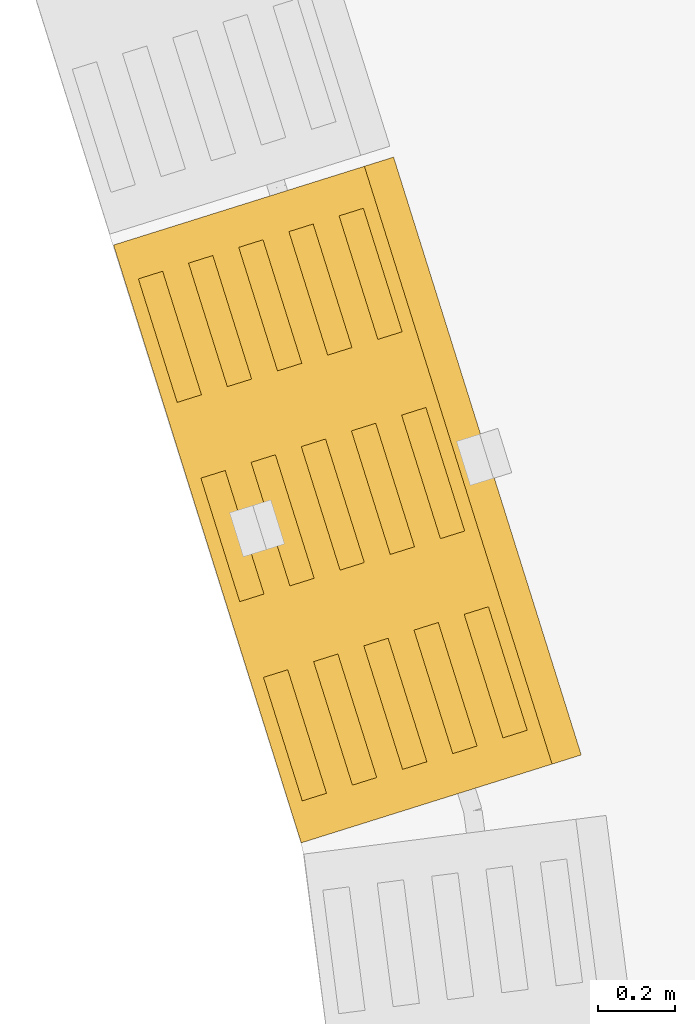
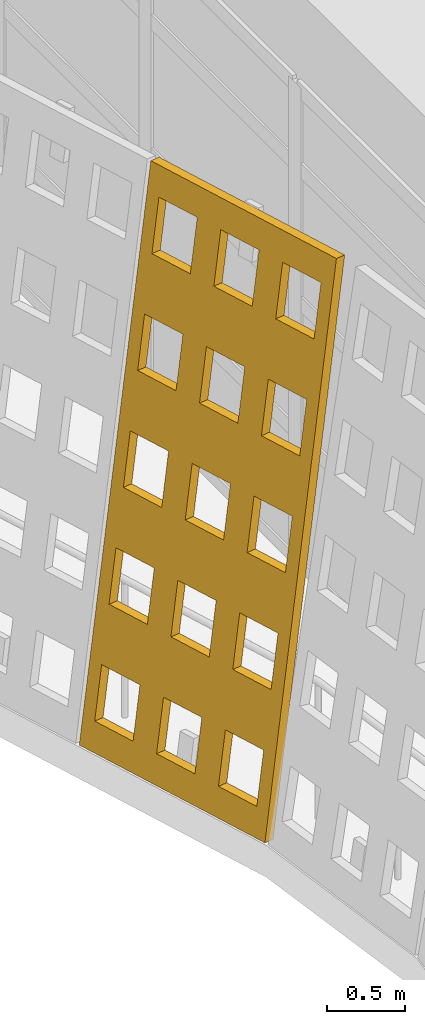
# One storey, part 117 of 162: 1 covering.
"""IFC4 building model written with IfcOpenShell, lengths in metres."""

import ifcopenshell
import ifcopenshell.guid

model = None  # the IFC model being written
_history = None  # IfcOwnerHistory: only IFC2X3 demands one
_inside = {}  # id of a spatial element -> (the spatial element, [elements in it])
_under = {}  # id of a project, library or spatial element -> (it, [spatial elements below it])
_declared = {}  # id of a project -> (the project, [libraries it declares])
_typed = {}  # id of a type object -> (the type object, [elements of that type])
_made_of = {}  # id of a material, layer set ... -> (it, [elements and type objects made of it])


def new_model(schema):
    """Start an empty IFC model of exactly this schema.

    Asked for "IFC4X3", IfcOpenShell would pick the latest addendum, in which some entities
    have other attributes; the version numbers below select the first issue.
    IFC2X3 requires an IfcOwnerHistory on every rooted entity: one is made here for all.
    """
    global model, _history
    if schema == "IFC4X3":
        model = ifcopenshell.file(schema_version=(4, 3, 0, 0))
    else:
        model = ifcopenshell.file(schema=schema)
    _inside.clear()
    _under.clear()
    _declared.clear()
    _typed.clear()
    _made_of.clear()
    _history = None
    if model.schema == "IFC2X3":
        org = make("IfcOrganization", Name="unknown")
        user = make(
            "IfcPersonAndOrganization",
            ThePerson=make("IfcPerson", FamilyName="unknown"),
            TheOrganization=org,
        )
        app = make(
            "IfcApplication",
            ApplicationDeveloper=org,
            Version="unknown",
            ApplicationFullName="unknown",
            ApplicationIdentifier="unknown",
        )
        _history = make(
            "IfcOwnerHistory",
            OwningUser=user,
            OwningApplication=app,
            ChangeAction="ADDED",
            CreationDate=0,
        )
    return model


def make(cls, **values):
    """One entity of the class cls with the attributes given. An attribute that is None is left unset."""
    return model.create_entity(
        cls, **{name: value for name, value in values.items() if value is not None}
    )


def rooted(cls, **values):
    """An entity with a GlobalId (a new one), such as an element, a storey or a relation."""
    return make(cls, GlobalId=ifcopenshell.guid.new(), OwnerHistory=_history, **values)


def si_unit(unit_type, name, prefix=None):
    """IfcSIUnit, for example si_unit("LENGTHUNIT", "METRE", prefix="MILLI")."""
    return make("IfcSIUnit", UnitType=unit_type, Prefix=prefix, Name=name)


def assignment(units):
    """IfcUnitAssignment: the units of a project."""
    return None if units is None else make("IfcUnitAssignment", Units=units)


def point(xyz):
    """IfcCartesianPoint."""
    return None if xyz is None else make("IfcCartesianPoint", Coordinates=xyz)


def direction(xyz):
    """IfcDirection."""
    return None if xyz is None else make("IfcDirection", DirectionRatios=xyz)


def frame(location, z_axis=None, x_axis=None):
    """IfcAxis2Placement3D, a coordinate frame: its origin and axes. An axis left out is left unset."""
    return make(
        "IfcAxis2Placement3D",
        Location=point(location),
        Axis=direction(z_axis),
        RefDirection=direction(x_axis),
    )


def origin():
    """The frame at (0, 0, 0) with its axes left unset."""
    return frame((0.0, 0.0, 0.0))


def place(relative_to, where):
    """IfcLocalPlacement: puts the frame where relative to a parent placement (None: the world)."""
    return make(
        "IfcLocalPlacement", PlacementRelTo=relative_to, RelativePlacement=where
    )


def context(
    kind, dimensions, precision=None, world=None, true_north=None, identifier=None
):
    """IfcGeometricRepresentationContext, for example the 3D "Model" context."""
    return make(
        "IfcGeometricRepresentationContext",
        ContextIdentifier=identifier,
        ContextType=kind,
        CoordinateSpaceDimension=dimensions,
        Precision=precision,
        WorldCoordinateSystem=world,
        TrueNorth=true_north,
    )


def subcontext(parent, identifier, kind, view, scale=None):
    """IfcGeometricRepresentationSubContext, for example "Body" below "Model"."""
    return make(
        "IfcGeometricRepresentationSubContext",
        ContextIdentifier=identifier,
        ContextType=kind,
        ParentContext=parent,
        TargetScale=scale,
        TargetView=view,
    )


def project(units=None, contexts=None):
    """IfcProject with its units and contexts."""
    return rooted(
        "IfcProject",
        Name="project",
        RepresentationContexts=contexts,
        UnitsInContext=assignment(units),
    )


def spatial(cls, under=None, at=None, **own):
    """A site, building, storey or space (cls), placed at a placement, below another one or the project."""
    s = rooted(cls, ObjectPlacement=at, **own)
    if under is not None:
        _under.setdefault(under.id(), (under, []))[1].append(s)
    return s


def polyline(points):
    """IfcPolyline through the points."""
    return make("IfcPolyline", Points=[point(p) for p in points])


def outline(outer, holes=None, kind="AREA"):
    """IfcArbitraryClosedProfileDef: a profile drawn as a closed curve; with holes, ...WithVoids."""
    if holes is None:
        return make("IfcArbitraryClosedProfileDef", ProfileType=kind, OuterCurve=outer)
    return make(
        "IfcArbitraryProfileDefWithVoids",
        ProfileType=kind,
        OuterCurve=outer,
        InnerCurves=holes,
    )


def extrude(swept, where, along, depth):
    """IfcExtrudedAreaSolid: the profile swept, set in the frame where, extruded along a direction by depth."""
    return make(
        "IfcExtrudedAreaSolid",
        SweptArea=swept,
        Position=where,
        ExtrudedDirection=direction(along),
        Depth=depth,
    )


def shape(context_of_items, identifier, shape_type, items):
    """IfcShapeRepresentation: the items that make up one representation, for example the "Body"."""
    return make(
        "IfcShapeRepresentation",
        ContextOfItems=context_of_items,
        RepresentationIdentifier=identifier,
        RepresentationType=shape_type,
        Items=items,
    )


def material(Name=None, Category=None):
    """IfcMaterial."""
    return make("IfcMaterial", Name=Name, Category=Category)


def layer(
    of_material, thickness, ventilated=None, Name=None, Category=None, Priority=None
):
    """IfcMaterialLayer: one layer of a wall or slab, of a material (None: an air gap)."""
    return make(
        "IfcMaterialLayer",
        Material=of_material,
        LayerThickness=thickness,
        IsVentilated=ventilated,
        Name=Name,
        Category=Category,
        Priority=Priority,
    )


def layer_set(layers, Name=None):
    """IfcMaterialLayerSet."""
    return make("IfcMaterialLayerSet", MaterialLayers=layers, LayerSetName=Name)


def made_of(thing, what):
    """Note that an element or type object is made of a material, layer set ...; save() writes the relation."""
    if what is not None:
        _made_of.setdefault(what.id(), (what, []))[1].append(thing)
    return thing


def type_object(cls, material=None, **own):
    """A type object (cls), such as IfcWallType, which elements share."""
    return made_of(rooted(cls, **own), material)


def element(
    cls,
    number,
    at=None,
    inside=None,
    cuts=None,
    type_object=None,
    material=None,
    context=None,
    identifier="Body",
    shape_type=None,
    held_by="IfcProductDefinitionShape",
    body=None,
    shapes=None,
    **own,
):
    """One element of the class cls, such as IfcWall. Its Tag is "e" and its number.

    at: its placement. inside: the storey or other place that contains it. cuts: it is an
    opening in that element (IfcRelVoidsElement). A single representation is given by context,
    identifier, shape_type and body (its items); several are given by shapes. held_by: the class
    of the entity that holds the representations. save() writes the other relations.
    """
    e = rooted(cls, Tag="e%d" % number, ObjectPlacement=at, **own)
    if body is not None:
        shapes = [shape(context, identifier, shape_type, body)]
    if shapes is not None:
        e.Representation = make(held_by, Representations=shapes)
    if inside is not None:
        _inside.setdefault(inside.id(), (inside, []))[1].append(e)
    if cuts is not None:
        rooted(
            "IfcRelVoidsElement", RelatingBuildingElement=cuts, RelatedOpeningElement=e
        )
    if type_object is not None:
        _typed.setdefault(type_object.id(), (type_object, []))[1].append(e)
    return made_of(e, material)


def aggregate(whole, parts):
    """IfcRelAggregates: a whole, such as a stair, and the parts it consists of."""
    return rooted("IfcRelAggregates", RelatingObject=whole, RelatedObjects=parts)


def save(model, path):
    """Write the relations noted so far, then the file.

    IfcRelAggregates (storeys below a building ...), IfcRelContainedInSpatialStructure (elements
    in a storey), IfcRelDefinesByType, IfcRelAssociatesMaterial and IfcRelDeclares: one each for
    every whole, place, type object, material and project.
    """
    for whole, parts in _under.values():
        aggregate(whole, parts)
    for where, things in _inside.values():
        rooted(
            "IfcRelContainedInSpatialStructure",
            RelatedElements=things,
            RelatingStructure=where,
        )
    for kind, things in _typed.values():
        rooted("IfcRelDefinesByType", RelatedObjects=things, RelatingType=kind)
    for what, things in _made_of.values():
        rooted("IfcRelAssociatesMaterial", RelatedObjects=things, RelatingMaterial=what)
    for by, libraries in _declared.values():
        rooted("IfcRelDeclares", RelatingContext=by, RelatedDefinitions=libraries)
    model.write(path)


model = new_model("IFC4")

# Units and contexts
model_context = context("Model", 3, precision=1e-05, world=origin(), true_north=direction((0.0, 1.0)))
body_context = subcontext(model_context, "Body", "Model", "MODEL_VIEW")
ifc_project = project(units=[si_unit("LENGTHUNIT", "METRE"), si_unit("AREAUNIT", "SQUARE_METRE"), si_unit("VOLUMEUNIT", "CUBIC_METRE"), si_unit("PLANEANGLEUNIT", "RADIAN"), si_unit("MASSUNIT", "GRAM", prefix="KILO")], contexts=[model_context])

# Site, building, storey
site_placement = place(None, origin())
site = spatial("IfcSite", under=ifc_project, at=site_placement, CompositionType="ELEMENT")
building_placement = place(site_placement, origin())
building = spatial("IfcBuilding", under=site, at=building_placement, Name="Rain Tree Exposition and Congress Centre", CompositionType="ELEMENT")
storey_placement = place(building_placement, frame((0.0, 0.0, 6.0)))
storey = spatial("IfcBuildingStorey", under=building, at=storey_placement, Name="L01", CompositionType="ELEMENT", Elevation=6.0)

# Covering
ifc_material = material(Name="Perforated terracotta", Category="masonry")
ifc_layer = layer(ifc_material, 0.080078125)
ifc_layer_set = layer_set([ifc_layer], Name="Perforated terracotta")
covering_type = type_object("IfcCoveringType", Name="Terracotta screen 80", PredefinedType="CLADDING", material=ifc_layer_set)
covering_placement = place(storey_placement, frame((-2.598388671875, 28.3505859375, 0.0126953125), z_axis=(0.942029390639, 0.295717964052, -0.158529217842), x_axis=(-0.29950542383, 0.954094597562, 0.0)))
element("IfcCovering", 1, at=covering_placement, inside=storey, type_object=covering_type, Name="wing/screen/L01/117", PredefinedType="CLADDING", context=body_context, shape_type="SweptSolid", body=[
    extrude(outline(polyline([(-1.635986328125, 0.0), (-1.635986328125, 4.291259765625), (-0.014892578125, 4.291259765625), (-0.014892578125, 0.0), (-1.635986328125, 0.0)]), holes=[polyline([(-0.11767578125, 0.221435546875), (-0.11767578125, 0.63671875), (-0.45263671875, 0.63671875), (-0.45263671875, 0.221435546875), (-0.11767578125, 0.221435546875)]), polyline([(-0.11767578125, 1.07958984375), (-0.11767578125, 1.4951171875), (-0.45263671875, 1.4951171875), (-0.45263671875, 1.07958984375), (-0.11767578125, 1.07958984375)]), polyline([(-0.11767578125, 1.93798828125), (-0.11767578125, 2.353271484375), (-0.45263671875, 2.353271484375), (-0.45263671875, 1.93798828125), (-0.11767578125, 1.93798828125)]), polyline([(-0.11767578125, 2.796142578125), (-0.11767578125, 3.21142578125), (-0.45263671875, 3.21142578125), (-0.45263671875, 2.796142578125), (-0.11767578125, 2.796142578125)]), polyline([(-0.11767578125, 3.654541015625), (-0.11767578125, 4.06982421875), (-0.45263671875, 4.06982421875), (-0.45263671875, 3.654541015625), (-0.11767578125, 3.654541015625)]), polyline([(-0.657958984375, 0.221435546875), (-0.657958984375, 0.63671875), (-0.992919921875, 0.63671875), (-0.992919921875, 0.221435546875), (-0.657958984375, 0.221435546875)]), polyline([(-0.657958984375, 1.07958984375), (-0.657958984375, 1.4951171875), (-0.992919921875, 1.4951171875), (-0.992919921875, 1.07958984375), (-0.657958984375, 1.07958984375)]), polyline([(-0.657958984375, 1.93798828125), (-0.657958984375, 2.353271484375), (-0.992919921875, 2.353271484375), (-0.992919921875, 1.93798828125), (-0.657958984375, 1.93798828125)]), polyline([(-0.657958984375, 2.796142578125), (-0.657958984375, 3.21142578125), (-0.992919921875, 3.21142578125), (-0.992919921875, 2.796142578125), (-0.657958984375, 2.796142578125)]), polyline([(-0.657958984375, 3.654541015625), (-0.657958984375, 4.06982421875), (-0.992919921875, 4.06982421875), (-0.992919921875, 3.654541015625), (-0.657958984375, 3.654541015625)]), polyline([(-1.1982421875, 0.221435546875), (-1.1982421875, 0.63671875), (-1.533203125, 0.63671875), (-1.533203125, 0.221435546875), (-1.1982421875, 0.221435546875)]), polyline([(-1.1982421875, 1.07958984375), (-1.1982421875, 1.4951171875), (-1.533203125, 1.4951171875), (-1.533203125, 1.07958984375), (-1.1982421875, 1.07958984375)]), polyline([(-1.1982421875, 1.93798828125), (-1.1982421875, 2.353271484375), (-1.533203125, 2.353271484375), (-1.533203125, 1.93798828125), (-1.1982421875, 1.93798828125)]), polyline([(-1.1982421875, 2.796142578125), (-1.1982421875, 3.21142578125), (-1.533203125, 3.21142578125), (-1.533203125, 2.796142578125), (-1.1982421875, 2.796142578125)]), polyline([(-1.1982421875, 3.654541015625), (-1.1982421875, 4.06982421875), (-1.533203125, 4.06982421875), (-1.533203125, 3.654541015625), (-1.1982421875, 3.654541015625)])]), origin(), (0.0, 0.0, 1.0), 0.080078125),
])

save(model, "model.ifc")
